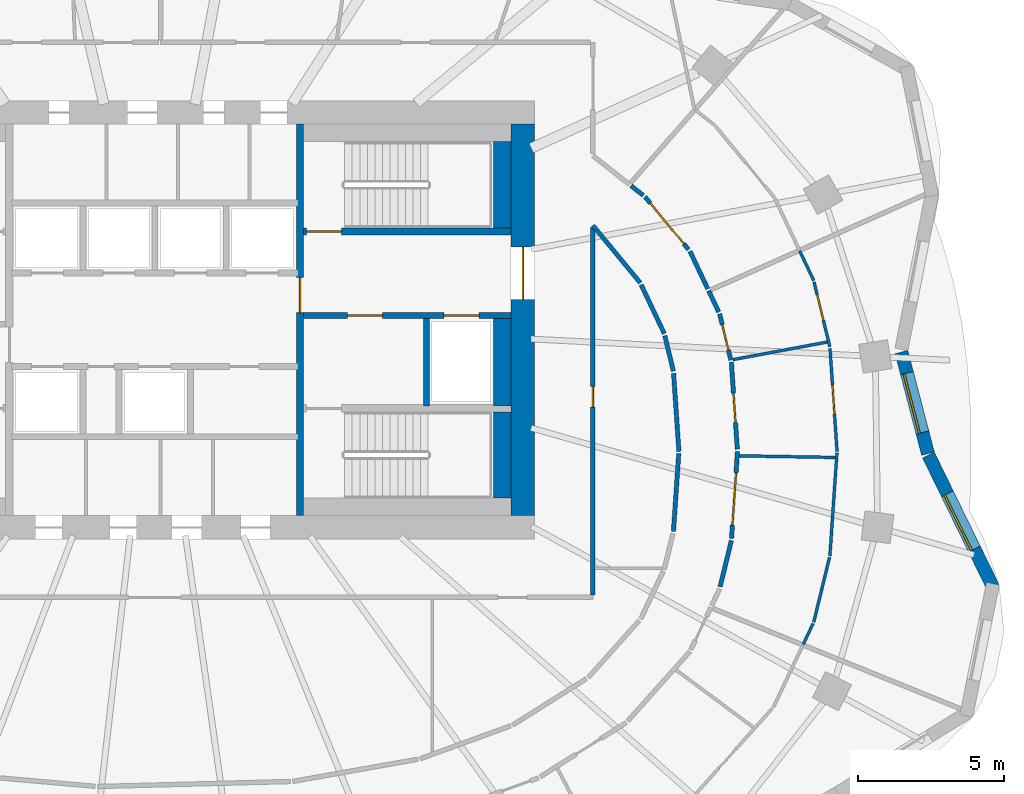
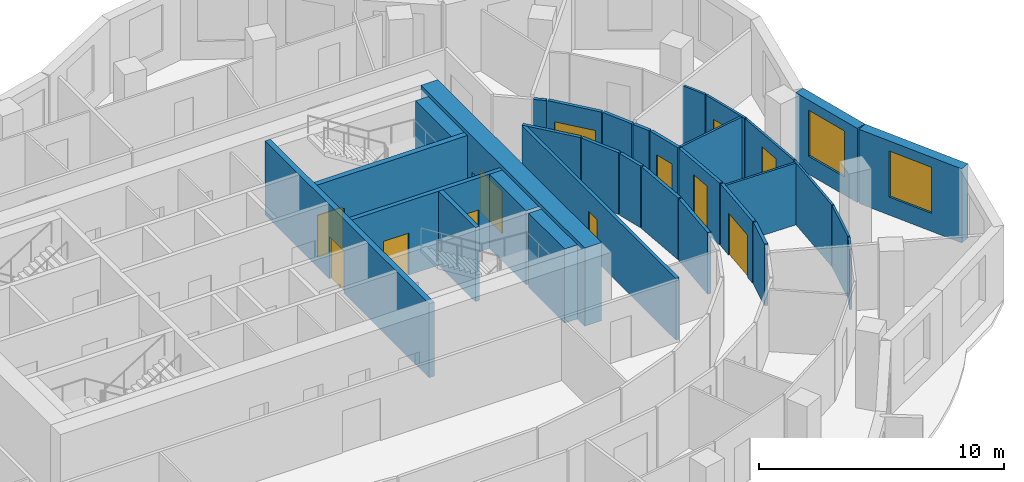
# One storey, part 7 of 11: 32 walls, 12 doors, 2 windows, 14 openings.
"""IFC4 building model written with IfcOpenShell, lengths in metres."""

import ifcopenshell
import ifcopenshell.guid

model = None  # the IFC model being written
_history = None  # IfcOwnerHistory: only IFC2X3 demands one
_inside = {}  # id of a spatial element -> (the spatial element, [elements in it])
_under = {}  # id of a project, library or spatial element -> (it, [spatial elements below it])
_declared = {}  # id of a project -> (the project, [libraries it declares])
_typed = {}  # id of a type object -> (the type object, [elements of that type])
_made_of = {}  # id of a material, layer set ... -> (it, [elements and type objects made of it])


def new_model(schema):
    """Start an empty IFC model of exactly this schema.

    Asked for "IFC4X3", IfcOpenShell would pick the latest addendum, in which some entities
    have other attributes; the version numbers below select the first issue.
    IFC2X3 requires an IfcOwnerHistory on every rooted entity: one is made here for all.
    """
    global model, _history
    if schema == "IFC4X3":
        model = ifcopenshell.file(schema_version=(4, 3, 0, 0))
    else:
        model = ifcopenshell.file(schema=schema)
    _inside.clear()
    _under.clear()
    _declared.clear()
    _typed.clear()
    _made_of.clear()
    _history = None
    if model.schema == "IFC2X3":
        org = make("IfcOrganization", Name="unknown")
        user = make(
            "IfcPersonAndOrganization",
            ThePerson=make("IfcPerson", FamilyName="unknown"),
            TheOrganization=org,
        )
        app = make(
            "IfcApplication",
            ApplicationDeveloper=org,
            Version="unknown",
            ApplicationFullName="unknown",
            ApplicationIdentifier="unknown",
        )
        _history = make(
            "IfcOwnerHistory",
            OwningUser=user,
            OwningApplication=app,
            ChangeAction="ADDED",
            CreationDate=0,
        )
    return model


def make(cls, **values):
    """One entity of the class cls with the attributes given. An attribute that is None is left unset."""
    return model.create_entity(
        cls, **{name: value for name, value in values.items() if value is not None}
    )


def rooted(cls, **values):
    """An entity with a GlobalId (a new one), such as an element, a storey or a relation."""
    return make(cls, GlobalId=ifcopenshell.guid.new(), OwnerHistory=_history, **values)


def si_unit(unit_type, name, prefix=None):
    """IfcSIUnit, for example si_unit("LENGTHUNIT", "METRE", prefix="MILLI")."""
    return make("IfcSIUnit", UnitType=unit_type, Prefix=prefix, Name=name)


def assignment(units):
    """IfcUnitAssignment: the units of a project."""
    return None if units is None else make("IfcUnitAssignment", Units=units)


def point(xyz):
    """IfcCartesianPoint."""
    return None if xyz is None else make("IfcCartesianPoint", Coordinates=xyz)


def direction(xyz):
    """IfcDirection."""
    return None if xyz is None else make("IfcDirection", DirectionRatios=xyz)


def frame(location, z_axis=None, x_axis=None):
    """IfcAxis2Placement3D, a coordinate frame: its origin and axes. An axis left out is left unset."""
    return make(
        "IfcAxis2Placement3D",
        Location=point(location),
        Axis=direction(z_axis),
        RefDirection=direction(x_axis),
    )


def frame_2d(location, x_axis=None):
    """IfcAxis2Placement2D, a coordinate frame in the plane: its origin and x axis."""
    return make(
        "IfcAxis2Placement2D", Location=point(location), RefDirection=direction(x_axis)
    )


def origin():
    """The frame at (0, 0, 0) with its axes left unset."""
    return frame((0.0, 0.0, 0.0))


def place(relative_to, where):
    """IfcLocalPlacement: puts the frame where relative to a parent placement (None: the world)."""
    return make(
        "IfcLocalPlacement", PlacementRelTo=relative_to, RelativePlacement=where
    )


def context(
    kind, dimensions, precision=None, world=None, true_north=None, identifier=None
):
    """IfcGeometricRepresentationContext, for example the 3D "Model" context."""
    return make(
        "IfcGeometricRepresentationContext",
        ContextIdentifier=identifier,
        ContextType=kind,
        CoordinateSpaceDimension=dimensions,
        Precision=precision,
        WorldCoordinateSystem=world,
        TrueNorth=true_north,
    )


def subcontext(parent, identifier, kind, view, scale=None):
    """IfcGeometricRepresentationSubContext, for example "Body" below "Model"."""
    return make(
        "IfcGeometricRepresentationSubContext",
        ContextIdentifier=identifier,
        ContextType=kind,
        ParentContext=parent,
        TargetScale=scale,
        TargetView=view,
    )


def project(units=None, contexts=None):
    """IfcProject with its units and contexts."""
    return rooted(
        "IfcProject",
        Name="project",
        RepresentationContexts=contexts,
        UnitsInContext=assignment(units),
    )


def spatial(cls, under=None, at=None, **own):
    """A site, building, storey or space (cls), placed at a placement, below another one or the project."""
    s = rooted(cls, ObjectPlacement=at, **own)
    if under is not None:
        _under.setdefault(under.id(), (under, []))[1].append(s)
    return s


def profile(cls, at=None, kind="AREA", **sizes):
    """A parametric profile (cls). Its sizes go by their IFC names, for example OverallWidth=200.0."""
    return make(cls, ProfileType=kind, Position=at, **sizes)


def rectangle(**sizes):
    """IfcRectangleProfileDef."""
    return profile("IfcRectangleProfileDef", **sizes)


def extrude(swept, where, along, depth):
    """IfcExtrudedAreaSolid: the profile swept, set in the frame where, extruded along a direction by depth."""
    return make(
        "IfcExtrudedAreaSolid",
        SweptArea=swept,
        Position=where,
        ExtrudedDirection=direction(along),
        Depth=depth,
    )


def shape(context_of_items, identifier, shape_type, items):
    """IfcShapeRepresentation: the items that make up one representation, for example the "Body"."""
    return make(
        "IfcShapeRepresentation",
        ContextOfItems=context_of_items,
        RepresentationIdentifier=identifier,
        RepresentationType=shape_type,
        Items=items,
    )


def material(Name=None, Category=None):
    """IfcMaterial."""
    return make("IfcMaterial", Name=Name, Category=Category)


def layer(
    of_material, thickness, ventilated=None, Name=None, Category=None, Priority=None
):
    """IfcMaterialLayer: one layer of a wall or slab, of a material (None: an air gap)."""
    return make(
        "IfcMaterialLayer",
        Material=of_material,
        LayerThickness=thickness,
        IsVentilated=ventilated,
        Name=Name,
        Category=Category,
        Priority=Priority,
    )


def layer_set(layers, Name=None):
    """IfcMaterialLayerSet."""
    return make("IfcMaterialLayerSet", MaterialLayers=layers, LayerSetName=Name)


def made_of(thing, what):
    """Note that an element or type object is made of a material, layer set ...; save() writes the relation."""
    if what is not None:
        _made_of.setdefault(what.id(), (what, []))[1].append(thing)
    return thing


def type_object(cls, material=None, **own):
    """A type object (cls), such as IfcWallType, which elements share."""
    return made_of(rooted(cls, **own), material)


def element(
    cls,
    number,
    at=None,
    inside=None,
    cuts=None,
    type_object=None,
    material=None,
    context=None,
    identifier="Body",
    shape_type=None,
    held_by="IfcProductDefinitionShape",
    body=None,
    shapes=None,
    **own,
):
    """One element of the class cls, such as IfcWall. Its Tag is "e" and its number.

    at: its placement. inside: the storey or other place that contains it. cuts: it is an
    opening in that element (IfcRelVoidsElement). A single representation is given by context,
    identifier, shape_type and body (its items); several are given by shapes. held_by: the class
    of the entity that holds the representations. save() writes the other relations.
    """
    e = rooted(cls, Tag="e%d" % number, ObjectPlacement=at, **own)
    if body is not None:
        shapes = [shape(context, identifier, shape_type, body)]
    if shapes is not None:
        e.Representation = make(held_by, Representations=shapes)
    if inside is not None:
        _inside.setdefault(inside.id(), (inside, []))[1].append(e)
    if cuts is not None:
        rooted(
            "IfcRelVoidsElement", RelatingBuildingElement=cuts, RelatedOpeningElement=e
        )
    if type_object is not None:
        _typed.setdefault(type_object.id(), (type_object, []))[1].append(e)
    return made_of(e, material)


def fill(opening, filler):
    """IfcRelFillsElement: the door or window that sits in an opening."""
    return rooted(
        "IfcRelFillsElement",
        RelatingOpeningElement=opening,
        RelatedBuildingElement=filler,
    )


def aggregate(whole, parts):
    """IfcRelAggregates: a whole, such as a stair, and the parts it consists of."""
    return rooted("IfcRelAggregates", RelatingObject=whole, RelatedObjects=parts)


def save(model, path):
    """Write the relations noted so far, then the file.

    IfcRelAggregates (storeys below a building ...), IfcRelContainedInSpatialStructure (elements
    in a storey), IfcRelDefinesByType, IfcRelAssociatesMaterial and IfcRelDeclares: one each for
    every whole, place, type object, material and project.
    """
    for whole, parts in _under.values():
        aggregate(whole, parts)
    for where, things in _inside.values():
        rooted(
            "IfcRelContainedInSpatialStructure",
            RelatedElements=things,
            RelatingStructure=where,
        )
    for kind, things in _typed.values():
        rooted("IfcRelDefinesByType", RelatedObjects=things, RelatingType=kind)
    for what, things in _made_of.values():
        rooted("IfcRelAssociatesMaterial", RelatedObjects=things, RelatingMaterial=what)
    for by, libraries in _declared.values():
        rooted("IfcRelDeclares", RelatingContext=by, RelatedDefinitions=libraries)
    model.write(path)


model = new_model("IFC4")

# Units and contexts
model_context = context("Model", 3, precision=1e-05, world=origin(), true_north=direction((0.0, 1.0)))
body_context = subcontext(model_context, "Body", "Model", "MODEL_VIEW")
ifc_project = project(units=[si_unit("LENGTHUNIT", "METRE"), si_unit("AREAUNIT", "SQUARE_METRE"), si_unit("VOLUMEUNIT", "CUBIC_METRE"), si_unit("PLANEANGLEUNIT", "RADIAN"), si_unit("MASSUNIT", "GRAM", prefix="KILO")], contexts=[model_context])

# Site, building, storey
site_placement = place(None, origin())
site = spatial("IfcSite", under=ifc_project, at=site_placement, CompositionType="ELEMENT")
building_placement = place(site_placement, origin())
building = spatial("IfcBuilding", under=site, at=building_placement, Name="Rubra Terraces Tower", CompositionType="ELEMENT")
storey_placement = place(building_placement, frame((0.0, 0.0, 174.0)))
storey = spatial("IfcBuildingStorey", under=building, at=storey_placement, Name="L42", CompositionType="ELEMENT", Elevation=174.0)

# Wall, opening, window
ifc_material_1 = material(Name="Brick masonry red-brown", Category="masonry")
ifc_layer_1 = layer(ifc_material_1, 0.449951171875)
ifc_layer_set_1 = layer_set([ifc_layer_1], Name="Brick masonry red-brown")
wall_type_1 = type_object("IfcWallType", Name="Brick facade wall 450", PredefinedType="SOLIDWALL", material=ifc_layer_set_1)
wall_1_placement = place(storey_placement, frame((26.469482421875, -0.0791015625, 0.0), z_axis=(0.0, 0.0, 1.0), x_axis=(-0.252446779859, 0.967610780913, 0.0)))
wall_1 = element("IfcWall", 1, at=wall_1_placement, inside=storey, type_object=wall_type_1, Name="Facade wall L42 bay 1", PredefinedType="SOLIDWALL", context=body_context, shape_type="SweptSolid", body=[
    extrude(rectangle(XDim=3.5947265625, YDim=0.449951171875, at=frame_2d((1.79736328125, 0.0))), origin(), (0.0, 0.0, 1.0), 3.699951171875),
])
opening_1_placement = place(wall_1_placement, frame((0.747314453125, 0.0, 0.89990234375)))
opening_1 = element("IfcOpeningElement", 2, at=opening_1_placement, cuts=wall_1, Name="Opening W1B", PredefinedType="OPENING", context=body_context, shape_type="SweptSolid", body=[
    extrude(rectangle(XDim=2.10009765625, YDim=2.300048828125, at=frame_2d((1.050048828125, 1.14990234375))), frame((0.0, 0.23486328125, 0.0), z_axis=(0.0, -1.0, 0.0), x_axis=(1.0, 0.0, 0.0)), (0.0, 0.0, 1.0), 0.469970703125),
])
ifc_material_2 = material(Name="Clear glass in aluminium frame", Category="aluminium")
window_type = type_object("IfcWindowType", Name="Fixed deep-set window tall storey 2100 x 2300", PartitioningType="SINGLE_PANEL", PredefinedType="WINDOW", material=ifc_material_2)
window_1_placement = place(opening_1_placement, origin())
window_1 = element("IfcWindow", 3, at=window_1_placement, inside=storey, type_object=window_type, Name="Window L42 bay 1", OverallHeight=2.300048828125, OverallWidth=2.10009765625, PartitioningType="SINGLE_PANEL", PredefinedType="WINDOW", context=body_context, shape_type="SweptSolid", body=[
    extrude(rectangle(XDim=2.10009765625, YDim=2.300048828125, at=frame_2d((1.050048828125, 1.14990234375))), frame((0.0, 0.135009765625, 0.0), z_axis=(0.0, -1.0, 0.0), x_axis=(1.0, 0.0, 0.0)), (0.0, 0.0, 1.0), 0.06005859375),
])
fill(opening_1, window_1)

wall_2_placement = place(storey_placement, frame((28.70703125, -4.672119140625, 0.0), z_axis=(0.0, 0.0, 1.0), x_axis=(-0.439053549989, 0.898460895221, 0.0)))
wall_2 = element("IfcWall", 4, at=wall_2_placement, inside=storey, type_object=wall_type_1, Name="Facade wall L42 bay 40", PredefinedType="SOLIDWALL", context=body_context, shape_type="SweptSolid", body=[
    extrude(rectangle(XDim=5.061767578125, YDim=0.449951171875, at=frame_2d((2.53076171875, 0.0))), origin(), (0.0, 0.0, 1.0), 3.699951171875),
])
opening_2_placement = place(wall_2_placement, frame((1.48095703125, 0.0, 0.89990234375)))
opening_2 = element("IfcOpeningElement", 5, at=opening_2_placement, cuts=wall_2, Name="Opening W1B", PredefinedType="OPENING", context=body_context, shape_type="SweptSolid", body=[
    extrude(rectangle(XDim=2.10009765625, YDim=2.300048828125, at=frame_2d((1.050048828125, 1.14990234375))), frame((0.0, 0.23486328125, 0.0), z_axis=(0.0, -1.0, 0.0), x_axis=(1.0, 0.0, 0.0)), (0.0, 0.0, 1.0), 0.469970703125),
])
window_2_placement = place(opening_2_placement, origin())
window_2 = element("IfcWindow", 6, at=window_2_placement, inside=storey, type_object=window_type, Name="Window L42 bay 40", OverallHeight=2.300048828125, OverallWidth=2.10009765625, PartitioningType="SINGLE_PANEL", PredefinedType="WINDOW", context=body_context, shape_type="SweptSolid", body=[
    extrude(rectangle(XDim=2.10009765625, YDim=2.300048828125, at=frame_2d((1.050048828125, 1.14990234375))), frame((0.0, 0.135009765625, 0.0), z_axis=(0.0, -1.0, 0.0), x_axis=(1.0, 0.0, 0.0)), (0.0, 0.0, 1.0), 0.06005859375),
])
fill(opening_2, window_2)

# Wall, opening, door
ifc_material_3 = material(Name="Concrete C50", Category="concrete")
ifc_layer_2 = layer(ifc_material_3, 0.800048828125)
ifc_layer_set_2 = layer_set([ifc_layer_2], Name="Concrete C50")
wall_type_2 = type_object("IfcWallType", Name="CORE WALL 800 C50", PredefinedType="SHEAR", material=ifc_layer_set_2)
wall_3_placement = place(storey_placement, frame((12.60009765625, -2.199951171875, 0.0), z_axis=(0.0, 0.0, 1.0), x_axis=(0.0, 1.0, 0.0)))
wall_3 = element("IfcWall", 7, at=wall_3_placement, inside=storey, type_object=wall_type_2, Name="CORE WALL E L42", PredefinedType="SHEAR", context=body_context, shape_type="SweptSolid", body=[
    extrude(rectangle(XDim=13.39990234375, YDim=0.800048828125, at=frame_2d((6.699951171875, 0.0))), origin(), (0.0, 0.0, 1.0), 3.89990234375),
])
opening_3_placement = place(wall_3_placement, frame((7.39990234375, 0.0, 0.0)))
opening_3 = element("IfcOpeningElement", 8, at=opening_3_placement, cuts=wall_3, Name="Opening L42.C02", PredefinedType="OPENING", context=body_context, shape_type="SweptSolid", body=[
    extrude(rectangle(XDim=1.800048828125, YDim=2.10009765625, at=frame_2d((0.89990234375, 1.050048828125))), frame((0.0, 0.409912109375, 0.0), z_axis=(0.0, -1.0, 0.0), x_axis=(1.0, 0.0, 0.0)), (0.0, 0.0, 1.0), 0.820068359375),
])
ifc_material_4 = material(Name="Painted steel", Category="steel")
door_type_1 = type_object("IfcDoorType", Name="Fire door 1800x2100 double", OperationType="NOTDEFINED", PredefinedType="DOOR", material=ifc_material_4)
door_1_placement = place(opening_3_placement, origin())
door_1 = element("IfcDoor", 9, at=door_1_placement, inside=storey, type_object=door_type_1, Name="Core entrance door FF2", OperationType="DOUBLE_DOOR_SINGLE_SWING", OverallHeight=2.10009765625, OverallWidth=1.800048828125, PredefinedType="DOOR", context=body_context, shape_type="SweptSolid", body=[
    extrude(rectangle(XDim=1.800048828125, YDim=2.10009765625, at=frame_2d((0.89990234375, 1.050048828125))), frame((0.0, 0.02490234375, 0.0), z_axis=(0.0, -1.0, 0.0), x_axis=(1.0, 0.0, 0.0)), (0.0, 0.0, 1.0), 0.050048828125),
])
fill(opening_3, door_1)

# Wall
ifc_material_5 = material(Name="Plasterboard on steel stud, mineral wool infill", Category="steel")
ifc_layer_3 = layer(ifc_material_5, 0.14990234375)
ifc_layer_set_3 = layer_set([ifc_layer_3], Name="Plasterboard on steel stud, mineral wool infill")
wall_type_3 = type_object("IfcWallType", Name="CORRIDOR PARTITION 150", PredefinedType="PARTITIONING", material=ifc_layer_set_3)
wall_4_placement = place(storey_placement, frame((19.355224609375, -4.6328125, 0.0), z_axis=(0.0, 0.0, 1.0), x_axis=(0.236703930685, 0.971581828359, 0.0)))
element("IfcWall", 10, at=wall_4_placement, inside=storey, type_object=wall_type_3, Name="PARTITION", PredefinedType="PARTITIONING", context=body_context, shape_type="SweptSolid", body=[
    extrude(rectangle(XDim=1.62646484375, YDim=0.14990234375, at=frame_2d((0.813232421875, 0.0))), origin(), (0.0, 0.0, 1.0), 3.083984375),
])

# Wall, opening, door
wall_5_placement = place(storey_placement, frame((19.745361328125, -2.9775390625, 0.0), z_axis=(0.0, 0.0, 1.0), x_axis=(0.068142324, 0.997675610447, 0.0)))
wall_5 = element("IfcWall", 11, at=wall_5_placement, inside=storey, type_object=wall_type_3, Name="PARTITION", PredefinedType="PARTITIONING", context=body_context, shape_type="SweptSolid", body=[
    extrude(rectangle(XDim=2.984375, YDim=0.14990234375, at=frame_2d((1.4921875, 0.0))), origin(), (0.0, 0.0, 1.0), 3.083984375),
])
opening_4_placement = place(wall_5_placement, frame((0.449951171875, 0.0, 0.0)))
opening_4 = element("IfcOpeningElement", 12, at=opening_4_placement, cuts=wall_5, Name="Opening 42-122", PredefinedType="OPENING", context=body_context, shape_type="SweptSolid", body=[
    extrude(rectangle(XDim=1.800048828125, YDim=2.10009765625, at=frame_2d((0.89990234375, 1.050048828125))), frame((0.0, 0.0849609375, 0.0), z_axis=(0.0, -1.0, 0.0), x_axis=(1.0, 0.0, 0.0)), (0.0, 0.0, 1.0), 0.169921875),
])
ifc_material_6 = material(Name="Painted timber door leaf, double", Category="wood")
door_type_2 = type_object("IfcDoorType", Name="ROOM DOUBLE DOOR 1800 X 2100", OperationType="DOUBLE_DOOR_SINGLE_SWING", PredefinedType="DOOR", material=ifc_material_6)
door_2_placement = place(opening_4_placement, origin())
door_2 = element("IfcDoor", 13, at=door_2_placement, inside=storey, type_object=door_type_2, Name="DOOR 42-122", OperationType="DOUBLE_DOOR_SINGLE_SWING", OverallHeight=2.10009765625, OverallWidth=1.800048828125, PredefinedType="DOOR", context=body_context, shape_type="SweptSolid", body=[
    extrude(rectangle(XDim=1.800048828125, YDim=2.10009765625, at=frame_2d((0.89990234375, 1.050048828125))), frame((0.0, 0.02490234375, 0.0), z_axis=(0.0, -1.0, 0.0), x_axis=(1.0, 0.0, 0.0)), (0.0, 0.0, 1.0), 0.050048828125),
])
fill(opening_4, door_2)

wall_6_placement = place(storey_placement, frame((19.943603515625, 0.07470703125, 0.0), z_axis=(0.0, 0.0, 1.0), x_axis=(-0.068136763128, 0.997675990245, 0.0)))
wall_6 = element("IfcWall", 14, at=wall_6_placement, inside=storey, type_object=wall_type_3, Name="PARTITION", PredefinedType="PARTITIONING", context=body_context, shape_type="SweptSolid", body=[
    extrude(rectangle(XDim=2.984619140625, YDim=0.14990234375, at=frame_2d((1.4921875, 0.0))), origin(), (0.0, 0.0, 1.0), 3.083984375),
])
opening_5_placement = place(wall_6_placement, frame((0.9169921875, 0.0, 0.0)))
opening_5 = element("IfcOpeningElement", 15, at=opening_5_placement, cuts=wall_6, Name="Opening 42-123", PredefinedType="OPENING", context=body_context, shape_type="SweptSolid", body=[
    extrude(rectangle(XDim=1.0, YDim=2.39990234375, at=frame_2d((0.5, 1.199951171875))), frame((0.0, 0.0849609375, 0.0), z_axis=(0.0, -1.0, 0.0), x_axis=(1.0, 0.0, 0.0)), (0.0, 0.0, 1.0), 0.169921875),
])
ifc_material_7 = material(Name="Glazed aluminium meeting door leaf", Category="aluminium")
door_type_3 = type_object("IfcDoorType", Name="MEETING ROOM GLAZED DOOR 1000 X 2400", OperationType="SINGLE_SWING_LEFT", PredefinedType="DOOR", material=ifc_material_7)
door_3_placement = place(opening_5_placement, origin())
door_3 = element("IfcDoor", 16, at=door_3_placement, inside=storey, type_object=door_type_3, Name="DOOR 42-123", OperationType="SINGLE_SWING_RIGHT", OverallHeight=2.39990234375, OverallWidth=1.0, PredefinedType="DOOR", context=body_context, shape_type="SweptSolid", body=[
    extrude(rectangle(XDim=1.0, YDim=2.39990234375, at=frame_2d((0.5, 1.199951171875))), frame((0.0, 0.02490234375, 0.0), z_axis=(0.0, -1.0, 0.0), x_axis=(1.0, 0.0, 0.0)), (0.0, 0.0, 1.0), 0.050048828125),
])
fill(opening_5, door_3)

wall_7_placement = place(storey_placement, frame((19.722412109375, 3.125244140625, 0.0), z_axis=(0.0, 0.0, 1.0), x_axis=(-0.236703930685, 0.971581828359, 0.0)))
wall_7 = element("IfcWall", 17, at=wall_7_placement, inside=storey, type_object=wall_type_3, Name="PARTITION", PredefinedType="PARTITIONING", context=body_context, shape_type="SweptSolid", body=[
    extrude(rectangle(XDim=1.62646484375, YDim=0.14990234375, at=frame_2d((0.813232421875, 0.0))), origin(), (0.0, 0.0, 1.0), 3.083984375),
])
opening_6_placement = place(wall_7_placement, frame((0.35009765625, 0.0, 0.0)))
opening_6 = element("IfcOpeningElement", 18, at=opening_6_placement, cuts=wall_7, Name="Opening 42-143", PredefinedType="OPENING", context=body_context, shape_type="SweptSolid", body=[
    extrude(rectangle(XDim=0.89990234375, YDim=2.10009765625, at=frame_2d((0.449951171875, 1.050048828125))), frame((0.0, 0.0849609375, 0.0), z_axis=(0.0, -1.0, 0.0), x_axis=(1.0, 0.0, 0.0)), (0.0, 0.0, 1.0), 0.169921875),
])
ifc_material_8 = material(Name="Painted timber door leaf", Category="wood")
door_type_4 = type_object("IfcDoorType", Name="BATHROOM DOOR 900 X 2100", OperationType="SINGLE_SWING_LEFT", PredefinedType="DOOR", material=ifc_material_8)
door_4_placement = place(opening_6_placement, origin())
door_4 = element("IfcDoor", 19, at=door_4_placement, inside=storey, type_object=door_type_4, Name="DOOR 42-143", OperationType="SINGLE_SWING_RIGHT", OverallHeight=2.10009765625, OverallWidth=0.89990234375, PredefinedType="DOOR", context=body_context, shape_type="SweptSolid", body=[
    extrude(rectangle(XDim=0.89990234375, YDim=2.10009765625, at=frame_2d((0.449951171875, 1.050048828125))), frame((0.0, 0.02490234375, 0.0), z_axis=(0.0, -1.0, 0.0), x_axis=(1.0, 0.0, 0.0)), (0.0, 0.0, 1.0), 0.050048828125),
])
fill(opening_6, door_4)

# Walls
wall_8_placement = place(storey_placement, frame((19.305419921875, 4.7734375, 0.0), z_axis=(0.0, 0.0, 1.0), x_axis=(-0.428296443676, 0.90363828844, 0.0)))
element("IfcWall", 20, at=wall_8_placement, inside=storey, type_object=wall_type_3, Name="PARTITION", PredefinedType="PARTITIONING", context=body_context, shape_type="SweptSolid", body=[
    extrude(rectangle(XDim=0.799072265625, YDim=0.14990234375, at=frame_2d((0.3994140625, 0.0))), origin(), (0.0, 0.0, 1.0), 3.083984375),
])
wall_9_placement = place(storey_placement, frame((18.93115234375, 5.5634765625, 0.0), z_axis=(0.0, 0.0, 1.0), x_axis=(-0.428204145682, 0.903682029046, 0.0)))
element("IfcWall", 21, at=wall_9_placement, inside=storey, type_object=wall_type_3, Name="PARTITION", PredefinedType="PARTITIONING", context=body_context, shape_type="SweptSolid", body=[
    extrude(rectangle(XDim=1.42529296875, YDim=0.14990234375, at=frame_2d((0.712646484375, 0.0))), origin(), (0.0, 0.0, 1.0), 3.083984375),
])

# Wall, opening, door
wall_10_placement = place(storey_placement, frame((18.273193359375, 6.9091796875, 0.0), z_axis=(0.0, 0.0, 1.0), x_axis=(-0.63653648943, 0.771246586783, 0.0)))
wall_10 = element("IfcWall", 22, at=wall_10_placement, inside=storey, type_object=wall_type_3, Name="PARTITION", PredefinedType="PARTITIONING", context=body_context, shape_type="SweptSolid", body=[
    extrude(rectangle(XDim=2.341552734375, YDim=0.14990234375, at=frame_2d((1.1708984375, 0.0))), origin(), (0.0, 0.0, 1.0), 3.083984375),
])
opening_7_placement = place(wall_10_placement, frame((0.25, 0.0, 0.0)))
opening_7 = element("IfcOpeningElement", 23, at=opening_7_placement, cuts=wall_10, Name="Opening 42-125", PredefinedType="OPENING", context=body_context, shape_type="SweptSolid", body=[
    extrude(rectangle(XDim=1.800048828125, YDim=2.10009765625, at=frame_2d((0.89990234375, 1.050048828125))), frame((0.0, 0.0849609375, 0.0), z_axis=(0.0, -1.0, 0.0), x_axis=(1.0, 0.0, 0.0)), (0.0, 0.0, 1.0), 0.169921875),
])
door_5_placement = place(opening_7_placement, origin())
door_5 = element("IfcDoor", 24, at=door_5_placement, inside=storey, type_object=door_type_2, Name="DOOR 42-125", OperationType="DOUBLE_DOOR_SINGLE_SWING", OverallHeight=2.10009765625, OverallWidth=1.800048828125, PredefinedType="DOOR", context=body_context, shape_type="SweptSolid", body=[
    extrude(rectangle(XDim=1.800048828125, YDim=2.10009765625, at=frame_2d((0.89990234375, 1.050048828125))), frame((0.0, 0.02490234375, 0.0), z_axis=(0.0, -1.0, 0.0), x_axis=(1.0, 0.0, 0.0)), (0.0, 0.0, 1.0), 0.050048828125),
])
fill(opening_7, door_5)

# Walls
wall_11_placement = place(storey_placement, frame((16.723876953125, 8.761474609375, 0.0), z_axis=(0.0, 0.0, 1.0), x_axis=(-0.785093642841, 0.619377083827, 0.0)))
element("IfcWall", 25, at=wall_11_placement, inside=storey, type_object=wall_type_3, Name="PARTITION", PredefinedType="PARTITIONING", context=body_context, shape_type="SweptSolid", body=[
    extrude(rectangle(XDim=0.533203125, YDim=0.14990234375, at=frame_2d((0.2666015625, 0.0))), origin(), (0.0, 0.0, 1.0), 3.083984375),
])
wall_12_placement = place(storey_placement, frame((15.0, 7.73291015625, 0.0), z_axis=(0.0, 0.0, 1.0), x_axis=(0.636601263488, -0.771193121938, 0.0)))
element("IfcWall", 26, at=wall_12_placement, inside=storey, type_object=wall_type_3, Name="PARTITION", PredefinedType="PARTITIONING", context=body_context, shape_type="SweptSolid", body=[
    extrude(rectangle(XDim=2.544921875, YDim=0.14990234375, at=frame_2d((1.2724609375, 0.0))), origin(), (0.0, 0.0, 1.0), 3.083984375),
])
wall_13_placement = place(storey_placement, frame((16.652099609375, 5.702392578125, 0.0), z_axis=(0.0, 0.0, 1.0), x_axis=(0.428126129773, -0.903718992279, 0.0)))
element("IfcWall", 27, at=wall_13_placement, inside=storey, type_object=wall_type_3, Name="PARTITION", PredefinedType="PARTITIONING", context=body_context, shape_type="SweptSolid", body=[
    extrude(rectangle(XDim=1.846435546875, YDim=0.14990234375, at=frame_2d((0.92333984375, 0.0))), origin(), (0.0, 0.0, 1.0), 3.083984375),
])
wall_14_placement = place(storey_placement, frame((17.46044921875, 3.9609375, 0.0), z_axis=(0.0, 0.0, 1.0), x_axis=(0.236655249498, -0.971593687137, 0.0)))
element("IfcWall", 28, at=wall_14_placement, inside=storey, type_object=wall_type_3, Name="PARTITION", PredefinedType="PARTITIONING", context=body_context, shape_type="SweptSolid", body=[
    extrude(rectangle(XDim=1.25146484375, YDim=0.14990234375, at=frame_2d((0.625732421875, 0.0))), origin(), (0.0, 0.0, 1.0), 3.083984375),
])
wall_15_placement = place(storey_placement, frame((17.76171875, 2.67041015625, 0.0), z_axis=(0.0, 0.0, 1.0), x_axis=(0.068135311644, -0.997676089373, 0.0)))
element("IfcWall", 29, at=wall_15_placement, inside=storey, type_object=wall_type_3, Name="PARTITION", PredefinedType="PARTITIONING", context=body_context, shape_type="SweptSolid", body=[
    extrude(rectangle(XDim=2.676513671875, YDim=0.14990234375, at=frame_2d((1.33837890625, 0.0))), origin(), (0.0, 0.0, 1.0), 3.083984375),
])
wall_16_placement = place(storey_placement, frame((17.939208984375, -0.07470703125, 0.0), z_axis=(0.0, 0.0, 1.0), x_axis=(-0.068226099283, -0.99766988497, 0.0)))
element("IfcWall", 30, at=wall_16_placement, inside=storey, type_object=wall_type_3, Name="PARTITION", PredefinedType="PARTITIONING", context=body_context, shape_type="SweptSolid", body=[
    extrude(rectangle(XDim=2.6767578125, YDim=0.14990234375, at=frame_2d((1.33837890625, 0.0))), origin(), (0.0, 0.0, 1.0), 3.083984375),
])

# Wall, opening, door
wall_17_placement = place(storey_placement, frame((15.0, -4.925048828125, 0.0), z_axis=(0.0, 0.0, 1.0), x_axis=(0.0, 1.0, 0.0)))
wall_17 = element("IfcWall", 31, at=wall_17_placement, inside=storey, type_object=wall_type_3, Name="PARTITION", PredefinedType="PARTITIONING", context=body_context, shape_type="SweptSolid", body=[
    extrude(rectangle(XDim=12.5830078125, YDim=0.14990234375, at=frame_2d((6.29150390625, 0.0))), origin(), (0.0, 0.0, 1.0), 3.083984375),
])
opening_8_placement = place(wall_17_placement, frame((6.44091796875, 0.0, 0.0)))
opening_8 = element("IfcOpeningElement", 32, at=opening_8_placement, cuts=wall_17, Name="Opening 42-131", PredefinedType="OPENING", context=body_context, shape_type="SweptSolid", body=[
    extrude(rectangle(XDim=0.699951171875, YDim=2.10009765625, at=frame_2d((0.35009765625, 1.050048828125))), frame((0.0, 0.0849609375, 0.0), z_axis=(0.0, -1.0, 0.0), x_axis=(1.0, 0.0, 0.0)), (0.0, 0.0, 1.0), 0.169921875),
])
door_type_5 = type_object("IfcDoorType", Name="STORE DOOR 700 X 2100", OperationType="SINGLE_SWING_LEFT", PredefinedType="DOOR", material=ifc_material_8)
door_6_placement = place(opening_8_placement, origin())
door_6 = element("IfcDoor", 33, at=door_6_placement, inside=storey, type_object=door_type_5, Name="DOOR 42-131", OperationType="SINGLE_SWING_RIGHT", OverallHeight=2.10009765625, OverallWidth=0.699951171875, PredefinedType="DOOR", context=body_context, shape_type="SweptSolid", body=[
    extrude(rectangle(XDim=0.699951171875, YDim=2.10009765625, at=frame_2d((0.35009765625, 1.050048828125))), frame((0.0, 0.02490234375, 0.0), z_axis=(0.0, -1.0, 0.0), x_axis=(1.0, 0.0, 0.0)), (0.0, 0.0, 1.0), 0.050048828125),
])
fill(opening_8, door_6)

# Walls
ifc_material_9 = material(Name="Concrete C40", Category="concrete")
ifc_layer_4 = layer(ifc_material_9, 0.60009765625)
ifc_layer_set_4 = layer_set([ifc_layer_4], Name="Concrete C40")
wall_type_4 = type_object("IfcWallType", Name="Core lining wall 600 concrete", PredefinedType="SOLIDWALL", material=ifc_layer_set_4)
wall_18_placement = place(storey_placement, frame((11.89990234375, 10.60009765625, 0.0), z_axis=(0.0, 0.0, 1.0), x_axis=(0.0, -1.0, 0.0)))
element("IfcWall", 34, at=wall_18_placement, inside=storey, type_object=wall_type_4, Name="CORE LINING WALL L42", PredefinedType="SOLIDWALL", context=body_context, shape_type="SweptSolid", body=[
    extrude(rectangle(XDim=2.9501953125, YDim=0.60009765625, at=frame_2d((1.47509765625, 0.0))), origin(), (0.0, 0.0, 1.0), 3.699951171875),
])
wall_19_placement = place(storey_placement, frame((11.89990234375, 4.550048828125, 0.0), z_axis=(0.0, 0.0, 1.0), x_axis=(0.0, -1.0, 0.0)))
element("IfcWall", 35, at=wall_19_placement, inside=storey, type_object=wall_type_4, Name="CORE LINING WALL L42", PredefinedType="SOLIDWALL", context=body_context, shape_type="SweptSolid", body=[
    extrude(rectangle(XDim=3.0, YDim=0.60009765625, at=frame_2d((1.5, 0.0))), origin(), (0.0, 0.0, 1.0), 3.699951171875),
])
wall_20_placement = place(storey_placement, frame((11.89990234375, 1.35009765625, 0.0), z_axis=(0.0, 0.0, 1.0), x_axis=(0.0, -1.0, 0.0)))
element("IfcWall", 36, at=wall_20_placement, inside=storey, type_object=wall_type_4, Name="CORE LINING WALL L42", PredefinedType="SOLIDWALL", context=body_context, shape_type="SweptSolid", body=[
    extrude(rectangle(XDim=2.9501953125, YDim=0.60009765625, at=frame_2d((1.47509765625, 0.0))), origin(), (0.0, 0.0, 1.0), 3.699951171875),
])

# Wall, openings, doors
ifc_material_10 = material(Name="Concrete C30", Category="concrete")
ifc_layer_5 = layer(ifc_material_10, 0.199951171875)
ifc_layer_set_5 = layer_set([ifc_layer_5], Name="Concrete C30")
wall_type_5 = type_object("IfcWallType", Name="Core wall 200 concrete", PredefinedType="SOLIDWALL", material=ifc_layer_set_5)
wall_21_placement = place(storey_placement, frame((12.199951171875, 4.64990234375, 0.0), z_axis=(0.0, 0.0, 1.0), x_axis=(-1.0, 0.0, 0.0)))
wall_21 = element("IfcWall", 37, at=wall_21_placement, inside=storey, type_object=wall_type_5, Name="STAIR WALL L42", PredefinedType="SOLIDWALL", context=body_context, shape_type="SweptSolid", body=[
    extrude(rectangle(XDim=7.099853515625, YDim=0.199951171875, at=frame_2d((3.5498046875, 0.0))), origin(), (0.0, 0.0, 1.0), 3.699951171875),
])
opening_9_placement = place(wall_21_placement, frame((4.39990234375, 0.0, 0.0)))
opening_9 = element("IfcOpeningElement", 38, at=opening_9_placement, cuts=wall_21, Name="Opening L42.C06", PredefinedType="OPENING", context=body_context, shape_type="SweptSolid", body=[
    extrude(rectangle(XDim=1.199951171875, YDim=2.10009765625, at=frame_2d((0.60009765625, 1.050048828125))), frame((0.0, 0.10986328125, 0.0), z_axis=(0.0, -1.0, 0.0), x_axis=(1.0, 0.0, 0.0)), (0.0, 0.0, 1.0), 0.219970703125),
])
opening_10_placement = place(wall_21_placement, frame((1.10009765625, 0.0, 0.0)))
opening_10 = element("IfcOpeningElement", 39, at=opening_10_placement, cuts=wall_21, Name="Opening L42.C12", PredefinedType="OPENING", context=body_context, shape_type="SweptSolid", body=[
    extrude(rectangle(XDim=1.199951171875, YDim=2.10009765625, at=frame_2d((0.60009765625, 1.050048828125))), frame((0.0, 0.10986328125, 0.0), z_axis=(0.0, -1.0, 0.0), x_axis=(1.0, 0.0, 0.0)), (0.0, 0.0, 1.0), 0.219970703125),
])
door_type_6 = type_object("IfcDoorType", Name="Fire door 1200x2100 single", OperationType="NOTDEFINED", PredefinedType="DOOR", material=ifc_material_4)
door_7_placement = place(opening_9_placement, origin())
door_7 = element("IfcDoor", 40, at=door_7_placement, inside=storey, type_object=door_type_6, Name="Stair vestibule door S4", OperationType="SINGLE_SWING_RIGHT", OverallHeight=2.10009765625, OverallWidth=1.199951171875, PredefinedType="DOOR", context=body_context, shape_type="SweptSolid", body=[
    extrude(rectangle(XDim=1.199951171875, YDim=2.10009765625, at=frame_2d((0.60009765625, 1.050048828125))), frame((0.0, 0.02490234375, 0.0), z_axis=(0.0, -1.0, 0.0), x_axis=(1.0, 0.0, 0.0)), (0.0, 0.0, 1.0), 0.050048828125),
])
fill(opening_9, door_7)
ifc_material_11 = material(Name="Stainless steel", Category="steel")
door_type_7 = type_object("IfcDoorType", Name="Lift landing door 1200x2100", OperationType="NOTDEFINED", PredefinedType="DOOR", material=ifc_material_11)
door_8_placement = place(opening_10_placement, origin())
door_8 = element("IfcDoor", 41, at=door_8_placement, inside=storey, type_object=door_type_7, Name="Landing door FF2", OperationType="SLIDING_TO_RIGHT", OverallHeight=2.10009765625, OverallWidth=1.199951171875, PredefinedType="DOOR", context=body_context, shape_type="SweptSolid", body=[
    extrude(rectangle(XDim=1.199951171875, YDim=2.10009765625, at=frame_2d((0.60009765625, 1.050048828125))), frame((0.0, 0.02490234375, 0.0), z_axis=(0.0, -1.0, 0.0), x_axis=(1.0, 0.0, 0.0)), (0.0, 0.0, 1.0), 0.050048828125),
])
fill(opening_10, door_8)

# Walls
wall_22_placement = place(storey_placement, frame((9.300048828125, 4.550048828125, 0.0), z_axis=(0.0, 0.0, 1.0), x_axis=(0.0, -1.0, 0.0)))
element("IfcWall", 42, at=wall_22_placement, inside=storey, type_object=wall_type_5, Name="STAIR WALL L42", PredefinedType="SOLIDWALL", context=body_context, shape_type="SweptSolid", body=[
    extrude(rectangle(XDim=3.0, YDim=0.199951171875, at=frame_2d((1.5, 0.0))), origin(), (0.0, 0.0, 1.0), 3.699951171875),
])
ifc_material_12 = material(Name="Plasterboard on steel stud", Category="steel")
ifc_layer_6 = layer(ifc_material_12, 0.10009765625)
ifc_layer_set_6 = layer_set([ifc_layer_6], Name="Plasterboard on steel stud")
wall_type_6 = type_object("IfcWallType", Name="ROOM PARTITION 100", PredefinedType="PARTITIONING", material=ifc_layer_set_6)
wall_23_placement = place(storey_placement, frame((22.0791015625, 6.85986328125, 0.0), z_axis=(0.0, 0.0, 1.0), x_axis=(0.428105084675, -0.903728961844, 0.0)))
element("IfcWall", 43, at=wall_23_placement, inside=storey, type_object=wall_type_6, Name="PARTITION", PredefinedType="PARTITIONING", context=body_context, shape_type="SweptSolid", body=[
    extrude(rectangle(XDim=1.1201171875, YDim=0.10009765625, at=frame_2d((0.56005859375, 0.0))), origin(), (0.0, 0.0, 1.0), 3.083984375),
])

# Wall, opening, door
wall_24_placement = place(storey_placement, frame((22.5703125, 5.799072265625, 0.0), z_axis=(0.0, 0.0, 1.0), x_axis=(0.236811358433, -0.971555649727, 0.0)))
wall_24 = element("IfcWall", 44, at=wall_24_placement, inside=storey, type_object=wall_type_6, Name="PARTITION", PredefinedType="PARTITIONING", context=body_context, shape_type="SweptSolid", body=[
    extrude(rectangle(XDim=2.289794921875, YDim=0.10009765625, at=frame_2d((1.14501953125, 0.0))), origin(), (0.0, 0.0, 1.0), 3.083984375),
])
opening_11_placement = place(wall_24_placement, frame((0.449951171875, 0.0, 0.0)))
opening_11 = element("IfcOpeningElement", 45, at=opening_11_placement, cuts=wall_24, Name="Opening 42-124", PredefinedType="OPENING", context=body_context, shape_type="SweptSolid", body=[
    extrude(rectangle(XDim=0.89990234375, YDim=2.10009765625, at=frame_2d((0.449951171875, 1.050048828125))), frame((0.0, 0.06005859375, 0.0), z_axis=(0.0, -1.0, 0.0), x_axis=(1.0, 0.0, 0.0)), (0.0, 0.0, 1.0), 0.1201171875),
])
door_type_8 = type_object("IfcDoorType", Name="ROOM DOOR 900 X 2100", OperationType="SINGLE_SWING_LEFT", PredefinedType="DOOR", material=ifc_material_8)
door_9_placement = place(opening_11_placement, origin())
door_9 = element("IfcDoor", 46, at=door_9_placement, inside=storey, type_object=door_type_8, Name="DOOR 42-124", OperationType="SINGLE_SWING_LEFT", OverallHeight=2.10009765625, OverallWidth=0.89990234375, PredefinedType="DOOR", context=body_context, shape_type="SweptSolid", body=[
    extrude(rectangle(XDim=0.89990234375, YDim=2.10009765625, at=frame_2d((0.449951171875, 1.050048828125))), frame((0.0, 0.02490234375, 0.0), z_axis=(0.0, -1.0, 0.0), x_axis=(1.0, 0.0, 0.0)), (0.0, 0.0, 1.0), 0.050048828125),
])
fill(opening_11, door_9)

wall_25_placement = place(storey_placement, frame((23.115966796875, 3.524658203125, 0.0), z_axis=(0.0, 0.0, 1.0), x_axis=(0.068138009452, -0.997675905125, 0.0)))
wall_25 = element("IfcWall", 47, at=wall_25_placement, inside=storey, type_object=wall_type_6, Name="PARTITION", PredefinedType="PARTITIONING", context=body_context, shape_type="SweptSolid", body=[
    extrude(rectangle(XDim=3.532958984375, YDim=0.10009765625, at=frame_2d((1.7666015625, 0.0))), origin(), (0.0, 0.0, 1.0), 3.083984375),
])
opening_12_placement = place(wall_25_placement, frame((1.25, 0.0, 0.0)))
opening_12 = element("IfcOpeningElement", 48, at=opening_12_placement, cuts=wall_25, Name="Opening 42-142", PredefinedType="OPENING", context=body_context, shape_type="SweptSolid", body=[
    extrude(rectangle(XDim=1.0, YDim=2.39990234375, at=frame_2d((0.5, 1.199951171875))), frame((0.0, 0.06005859375, 0.0), z_axis=(0.0, -1.0, 0.0), x_axis=(1.0, 0.0, 0.0)), (0.0, 0.0, 1.0), 0.1201171875),
])
door_10_placement = place(opening_12_placement, origin())
door_10 = element("IfcDoor", 49, at=door_10_placement, inside=storey, type_object=door_type_3, Name="DOOR 42-142", OperationType="SINGLE_SWING_LEFT", OverallHeight=2.39990234375, OverallWidth=1.0, PredefinedType="DOOR", context=body_context, shape_type="SweptSolid", body=[
    extrude(rectangle(XDim=1.0, YDim=2.39990234375, at=frame_2d((0.5, 1.199951171875))), frame((0.0, 0.02490234375, 0.0), z_axis=(0.0, -1.0, 0.0), x_axis=(1.0, 0.0, 0.0)), (0.0, 0.0, 1.0), 0.050048828125),
])
fill(opening_12, door_10)

# Walls
wall_26_placement = place(storey_placement, frame((23.353515625, -0.0498046875, 0.0), z_axis=(0.0, 0.0, 1.0), x_axis=(-0.06820679361, -0.99767120501, 0.0)))
element("IfcWall", 50, at=wall_26_placement, inside=storey, type_object=wall_type_6, Name="PARTITION", PredefinedType="PARTITIONING", context=body_context, shape_type="SweptSolid", body=[
    extrude(rectangle(XDim=3.532958984375, YDim=0.10009765625, at=frame_2d((1.7666015625, 0.0))), origin(), (0.0, 0.0, 1.0), 3.083984375),
])
wall_27_placement = place(storey_placement, frame((23.100830078125, -3.623046875, 0.0), z_axis=(0.0, 0.0, 1.0), x_axis=(-0.236811358433, -0.971555649727, 0.0)))
element("IfcWall", 51, at=wall_27_placement, inside=storey, type_object=wall_type_6, Name="PARTITION", PredefinedType="PARTITIONING", context=body_context, shape_type="SweptSolid", body=[
    extrude(rectangle(XDim=2.289794921875, YDim=0.10009765625, at=frame_2d((1.14501953125, 0.0))), origin(), (0.0, 0.0, 1.0), 3.083984375),
])
wall_28_placement = place(storey_placement, frame((22.537109375, -5.892822265625, 0.0), z_axis=(0.0, 0.0, 1.0), x_axis=(-0.427993557618, -0.903781784856, 0.0)))
element("IfcWall", 52, at=wall_28_placement, inside=storey, type_object=wall_type_6, Name="PARTITION", PredefinedType="PARTITIONING", context=body_context, shape_type="SweptSolid", body=[
    extrude(rectangle(XDim=0.791748046875, YDim=0.10009765625, at=frame_2d((0.39599609375, 0.0))), origin(), (0.0, 0.0, 1.0), 3.083984375),
])
wall_29_placement = place(storey_placement, frame((20.013427734375, -0.15283203125, 0.0), z_axis=(0.0, 0.0, 1.0), x_axis=(0.999854678593, -0.017047630214, 0.0)))
element("IfcWall", 53, at=wall_29_placement, inside=storey, type_object=wall_type_6, Name="PARTITION", PredefinedType="PARTITIONING", context=body_context, shape_type="SweptSolid", body=[
    extrude(rectangle(XDim=3.279541015625, YDim=0.10009765625, at=frame_2d((1.6396484375, 0.0))), origin(), (0.0, 0.0, 1.0), 3.083984375),
])
wall_30_placement = place(storey_placement, frame((19.796142578125, 3.139892578125, 0.0), z_axis=(0.0, 0.0, 1.0), x_axis=(0.983010938824, 0.183546980778, 0.0)))
element("IfcWall", 54, at=wall_30_placement, inside=storey, type_object=wall_type_6, Name="PARTITION", PredefinedType="PARTITIONING", context=body_context, shape_type="SweptSolid", body=[
    extrude(rectangle(XDim=3.280029296875, YDim=0.10009765625, at=frame_2d((1.64013671875, 0.0))), origin(), (0.0, 0.0, 1.0), 3.083984375),
])

# Wall, opening, door
ifc_layer_7 = layer(ifc_material_9, 0.25)
ifc_layer_set_7 = layer_set([ifc_layer_7], Name="Concrete C40")
wall_type_7 = type_object("IfcWallType", Name="Stair enclosure wall 250 concrete", PredefinedType="SOLIDWALL", material=ifc_layer_set_7)
wall_31_placement = place(storey_placement, frame((12.199951171875, 7.52490234375, 0.0), z_axis=(0.0, 0.0, 1.0), x_axis=(-1.0, 0.0, 0.0)))
wall_31 = element("IfcWall", 55, at=wall_31_placement, inside=storey, type_object=wall_type_7, Name="STAIR WALL L42", PredefinedType="SOLIDWALL", context=body_context, shape_type="SweptSolid", body=[
    extrude(rectangle(XDim=7.099853515625, YDim=0.25, at=frame_2d((3.5498046875, 0.0))), origin(), (0.0, 0.0, 1.0), 3.699951171875),
])
opening_13_placement = place(wall_31_placement, frame((5.800048828125, 0.0, 0.0)))
opening_13 = element("IfcOpeningElement", 56, at=opening_13_placement, cuts=wall_31, Name="Opening L42.C08", PredefinedType="OPENING", context=body_context, shape_type="SweptSolid", body=[
    extrude(rectangle(XDim=1.199951171875, YDim=2.10009765625, at=frame_2d((0.60009765625, 1.050048828125))), frame((0.0, 0.135009765625, 0.0), z_axis=(0.0, -1.0, 0.0), x_axis=(1.0, 0.0, 0.0)), (0.0, 0.0, 1.0), 0.27001953125),
])
door_11_placement = place(opening_13_placement, origin())
door_11 = element("IfcDoor", 57, at=door_11_placement, inside=storey, type_object=door_type_6, Name="Stair door S3", OperationType="SINGLE_SWING_RIGHT", OverallHeight=2.10009765625, OverallWidth=1.199951171875, PredefinedType="DOOR", context=body_context, shape_type="SweptSolid", body=[
    extrude(rectangle(XDim=1.199951171875, YDim=2.10009765625, at=frame_2d((0.60009765625, 1.050048828125))), frame((0.0, 0.02490234375, 0.0), z_axis=(0.0, -1.0, 0.0), x_axis=(1.0, 0.0, 0.0)), (0.0, 0.0, 1.0), 0.050048828125),
])
fill(opening_13, door_11)

wall_32_placement = place(storey_placement, frame((4.97509765625, 11.199951171875, 0.0), z_axis=(0.0, 0.0, 1.0), x_axis=(0.0, -1.0, 0.0)))
wall_32 = element("IfcWall", 58, at=wall_32_placement, inside=storey, type_object=wall_type_7, Name="CORE LOBBY WALL L42", PredefinedType="SOLIDWALL", context=body_context, shape_type="SweptSolid", body=[
    extrude(rectangle(XDim=13.39990234375, YDim=0.25, at=frame_2d((6.699951171875, 0.0))), origin(), (0.0, 0.0, 1.0), 3.699951171875),
])
opening_14_placement = place(wall_32_placement, frame((5.25, 0.0, 0.0)))
opening_14 = element("IfcOpeningElement", 59, at=opening_14_placement, cuts=wall_32, Name="Opening L42.C04", PredefinedType="OPENING", context=body_context, shape_type="SweptSolid", body=[
    extrude(rectangle(XDim=1.199951171875, YDim=2.10009765625, at=frame_2d((0.60009765625, 1.050048828125))), frame((0.0, 0.135009765625, 0.0), z_axis=(0.0, -1.0, 0.0), x_axis=(1.0, 0.0, 0.0)), (0.0, 0.0, 1.0), 0.27001953125),
])
door_12_placement = place(opening_14_placement, origin())
door_12 = element("IfcDoor", 60, at=door_12_placement, inside=storey, type_object=door_type_6, Name="Firefighting lobby door FF2", OperationType="SINGLE_SWING_RIGHT", OverallHeight=2.10009765625, OverallWidth=1.199951171875, PredefinedType="DOOR", context=body_context, shape_type="SweptSolid", body=[
    extrude(rectangle(XDim=1.199951171875, YDim=2.10009765625, at=frame_2d((0.60009765625, 1.050048828125))), frame((0.0, 0.02490234375, 0.0), z_axis=(0.0, -1.0, 0.0), x_axis=(1.0, 0.0, 0.0)), (0.0, 0.0, 1.0), 0.050048828125),
])
fill(opening_14, door_12)

save(model, "model.ifc")
